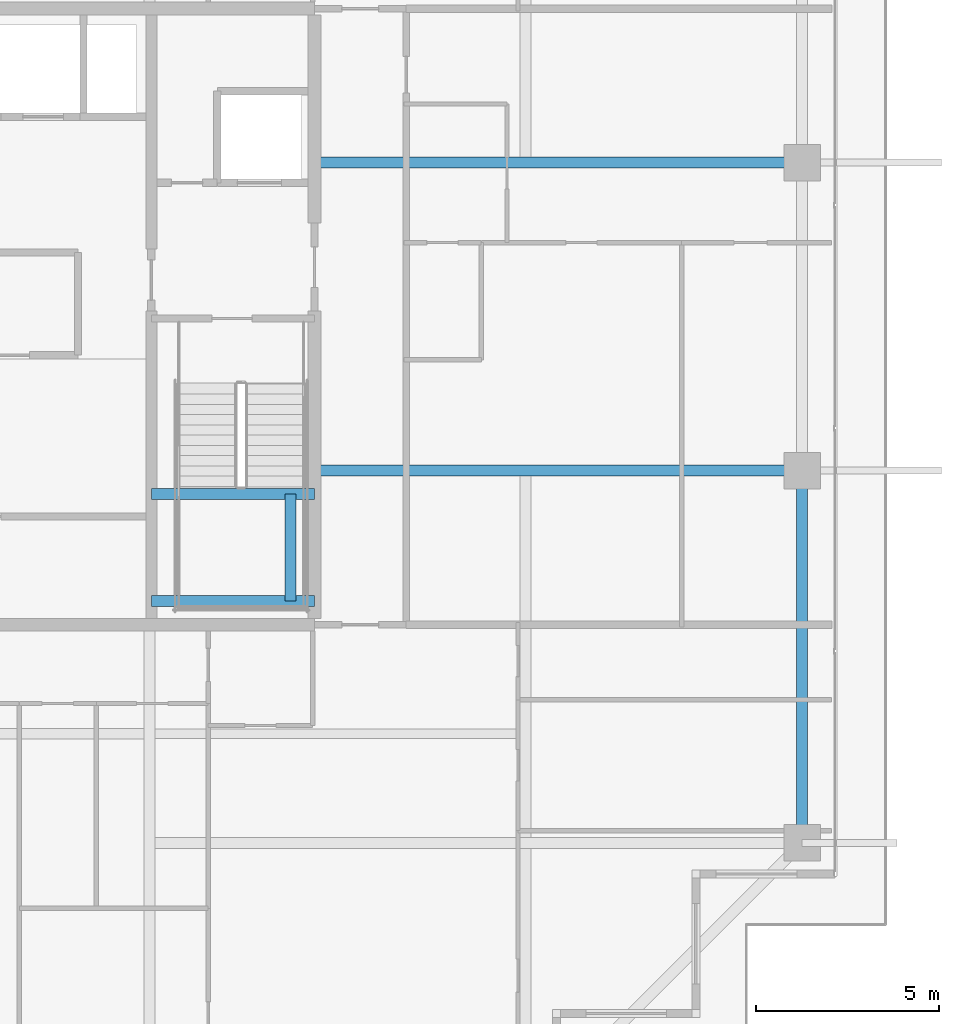
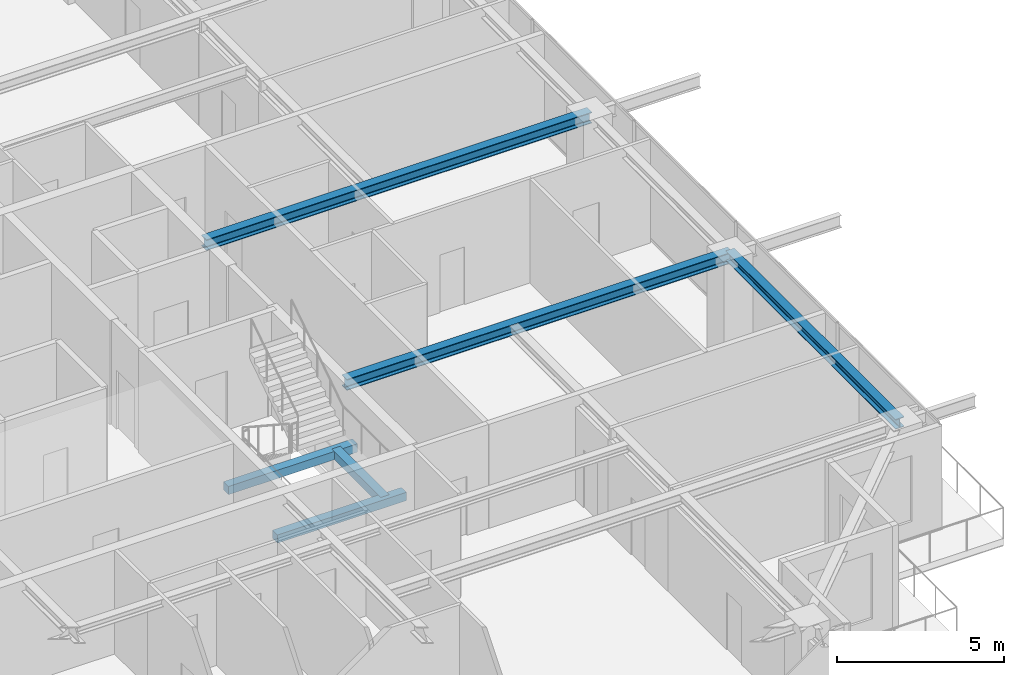
# One storey, part 13 of 37: 6 beams.
"""IFC4 building model written with IfcOpenShell, lengths in metres."""

from ifc_helpers import new_model, si_unit, direction, frame, origin, origin_2d, place, context, subcontext, project, spatial, rectangle, i_section, extrude, source, transform, mapped, material, material_profile, profile_set, type_object, element, save


model = new_model("IFC4")

# Units and contexts
model_context = context("Model", 3, precision=1e-05, world=origin(), true_north=direction((0.0, 1.0)))
body_context = subcontext(model_context, "Body", "Model", "MODEL_VIEW")
ifc_project = project(units=[si_unit("LENGTHUNIT", "METRE"), si_unit("AREAUNIT", "SQUARE_METRE"), si_unit("VOLUMEUNIT", "CUBIC_METRE"), si_unit("PLANEANGLEUNIT", "RADIAN"), si_unit("MASSUNIT", "GRAM", prefix="KILO")], contexts=[model_context])

# Site, building, storey
site_placement = place(None, origin())
site = spatial("IfcSite", under=ifc_project, at=site_placement, CompositionType="ELEMENT")
building_placement = place(site_placement, origin())
building = spatial("IfcBuilding", under=site, at=building_placement, Name="Serunith Strait Residences", CompositionType="ELEMENT")
storey_placement = place(building_placement, frame((0.0, 0.0, 305.60009765625)))
storey = spatial("IfcBuildingStorey", under=building, at=storey_placement, Name="L76", CompositionType="ELEMENT", Elevation=305.60009765625)

# Beams
ifc_material_1 = material(Name="Steel S355J2", Category="steel")
ifc_material_profile_1 = material_profile(ifc_material_1, i_section(OverallWidth=0.300048828125, OverallDepth=0.39990234375, WebThickness=0.013427734375, FlangeThickness=0.02392578125, FilletRadius=0.027099609375, at=origin_2d()), Name="HEB 400")
ifc_profile_set_1 = profile_set([ifc_material_profile_1], Name="Steel S355J2")
beam_type_1 = type_object("IfcBeamType", Name="BM-HEB400", PredefinedType="BEAM", material=ifc_profile_set_1)
shared_shape_1 = source(origin(), body_context, "Body", "SweptSolid", [
    extrude(i_section(OverallWidth=0.300048828125, OverallDepth=0.39990234375, WebThickness=0.013427734375, FlangeThickness=0.02392578125, FilletRadius=0.027099609375, at=origin_2d()), origin(), (0.0, 0.0, 1.0), 13.300048828125),
])
for number, where, z_axis, x_axis, name in (
    (1, (41.39990234375, 21.0, 3.5869140625), (1.0, 0.0, 0.0), (0.0, 1.0, 0.0), "L76 Primary Floor Girder TC-E2"),
    (2, (41.39990234375, 29.39990234375, 3.5869140625), (1.0, 0.0, 0.0), (0.0, 1.0, 0.0), "L76 Primary Floor Girder TC-E3"),
):
    element("IfcBeam", number, at=place(storey_placement, frame(where, z_axis=z_axis, x_axis=x_axis)), inside=storey, type_object=beam_type_1, Name=name, PredefinedType="BEAM", context=body_context, shape_type="MappedRepresentation", body=[
        mapped(shared_shape_1, transform((0.0, 0.0, 0.0), scale=1.0)),
    ])
ifc_material_profile_2 = material_profile(ifc_material_1, i_section(OverallWidth=0.300048828125, OverallDepth=0.360107421875, WebThickness=0.012451171875, FlangeThickness=0.0224609375, FilletRadius=0.027099609375, at=origin_2d()), Name="HEB 360")
ifc_profile_set_2 = profile_set([ifc_material_profile_2], Name="Steel S355J2")
beam_type_2 = type_object("IfcBeamType", Name="BM-HEB360", PredefinedType="BEAM", material=ifc_profile_set_2)
shared_shape_2 = source(origin(), body_context, "Body", "SweptSolid", [
    extrude(i_section(OverallWidth=0.300048828125, OverallDepth=0.360107421875, WebThickness=0.012451171875, FlangeThickness=0.0224609375, FilletRadius=0.027099609375, at=origin_2d()), origin(), (0.0, 0.0, 1.0), 10.14990234375),
])
beam_1_placement = place(storey_placement, frame((54.699951171875, 10.85009765625, 3.60693359375), z_axis=(0.0, 1.0, 0.0), x_axis=(-1.0, 0.0, 0.0)))
element("IfcBeam", 3, at=beam_1_placement, inside=storey, type_object=beam_type_2, Name="L76 Perimeter Ring Beam 05", PredefinedType="BEAM", context=body_context, shape_type="MappedRepresentation", body=[
    mapped(shared_shape_2, transform((0.0, 0.0, 0.0), scale=1.0)),
])
ifc_material_2 = material(Name="Concrete C60/75", Category="concrete")
ifc_material_profile_3 = material_profile(ifc_material_2, rectangle(XDim=0.300048828125, YDim=0.300048828125, at=origin_2d()), Name="RC 300x300")
ifc_profile_set_3 = profile_set([ifc_material_profile_3], Name="Concrete C60/75")
beam_type_3 = type_object("IfcBeamType", Name="BM-LAND-300x300", PredefinedType="BEAM", material=ifc_profile_set_3)
shared_shape_3 = source(origin(), body_context, "Body", "SweptSolid", [
    extrude(rectangle(XDim=0.300048828125, YDim=0.300048828125, at=origin_2d()), origin(), (0.0, 0.0, 1.0), 4.449951171875),
])
for number, where, z_axis, x_axis, name in (
    (4, (36.949951171875, 17.449951171875, 1.6748046875), (1.0, 0.0, 0.0), (0.0, 1.0, 0.0), "L76 ST-2 Landing Support Beam 1"),
    (5, (36.949951171875, 20.3701171875, 1.6748046875), (1.0, 0.0, 0.0), (0.0, 1.0, 0.0), "L76 ST-2 Landing Support Beam 2"),
):
    element("IfcBeam", number, at=place(storey_placement, frame(where, z_axis=z_axis, x_axis=x_axis)), inside=storey, type_object=beam_type_3, Name=name, PredefinedType="BEAM", context=body_context, shape_type="MappedRepresentation", body=[
        mapped(shared_shape_3, transform((0.0, 0.0, 0.0), scale=1.0)),
    ])
shared_shape_4 = source(origin(), body_context, "Body", "SweptSolid", [
    extrude(rectangle(XDim=0.300048828125, YDim=0.300048828125, at=origin_2d()), origin(), (0.0, 0.0, 1.0), 2.920166015625),
])
beam_2_placement = place(storey_placement, frame((40.75, 17.449951171875, 1.6748046875), z_axis=(0.0, 1.0, 0.0), x_axis=(-1.0, 0.0, 0.0)))
element("IfcBeam", 6, at=beam_2_placement, inside=storey, type_object=beam_type_3, Name="L76 ST-2 Landing Transverse Tie Beam", PredefinedType="BEAM", context=body_context, shape_type="MappedRepresentation", body=[
    mapped(shared_shape_4, transform((0.0, 0.0, 0.0), scale=1.0)),
])

save(model, "model.ifc")
